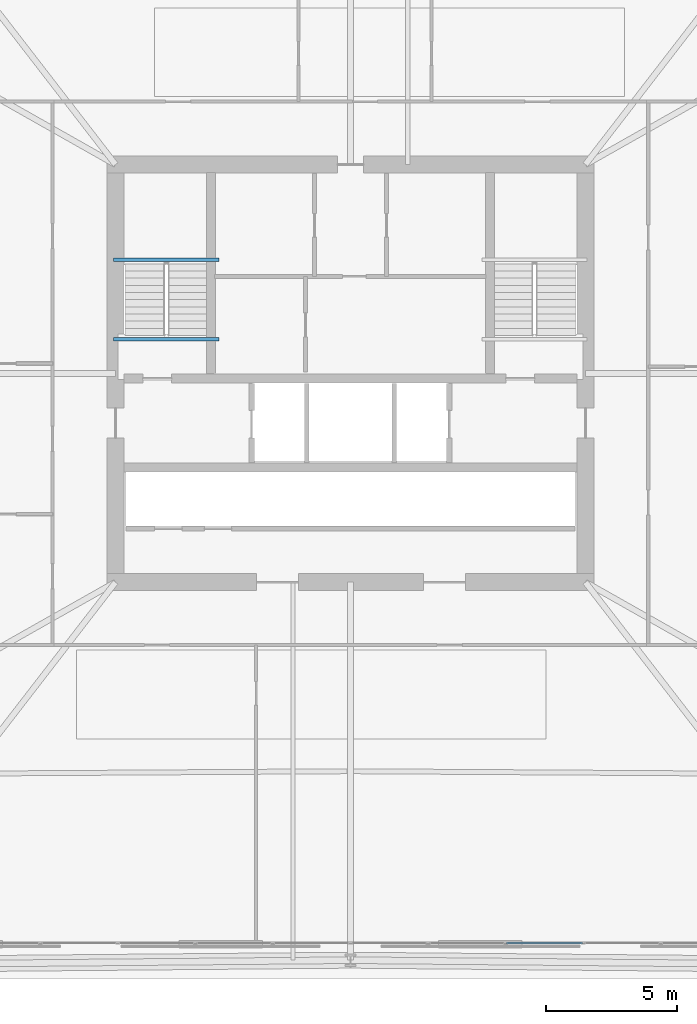
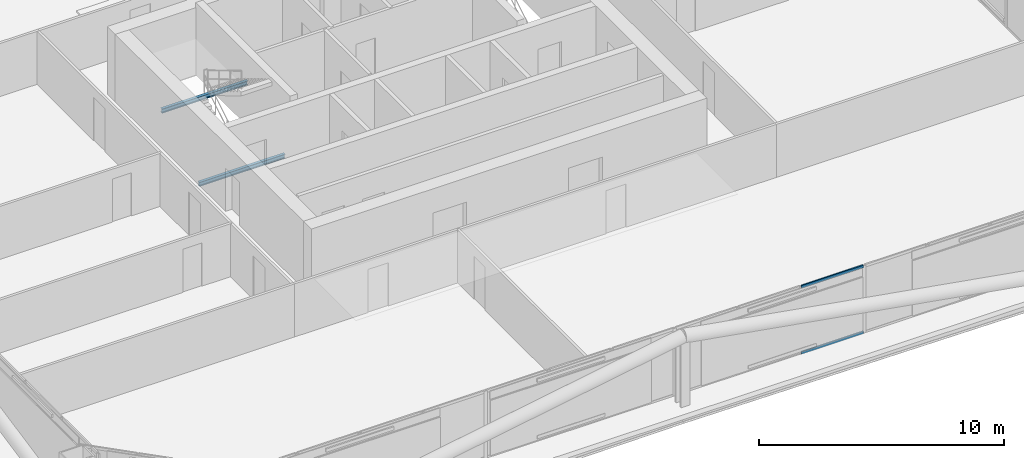
# One storey, part 18 of 50: 2 beams, 2 members, 1 element without a shape of its own.
"""IFC4 building model written with IfcOpenShell, lengths in metres."""

from ifc_helpers import new_model, si_unit, direction, frame, origin, origin_2d, place, context, subcontext, project, spatial, hollow_rectangle, i_section, extrude, material, layer, layer_set, material_profile, profile_set, type_object, element, aggregate, save


model = new_model("IFC4")

# Units and contexts
model_context = context("Model", 3, precision=1e-05, world=origin(), true_north=direction((0.0, 1.0)))
body_context = subcontext(model_context, "Body", "Model", "MODEL_VIEW")
ifc_project = project(units=[si_unit("LENGTHUNIT", "METRE"), si_unit("AREAUNIT", "SQUARE_METRE"), si_unit("VOLUMEUNIT", "CUBIC_METRE"), si_unit("PLANEANGLEUNIT", "RADIAN"), si_unit("MASSUNIT", "GRAM", prefix="KILO")], contexts=[model_context])

# Site, building, storey
site_placement = place(None, origin())
site = spatial("IfcSite", under=ifc_project, at=site_placement, CompositionType="ELEMENT")
building_placement = place(site_placement, origin())
building = spatial("IfcBuilding", under=site, at=building_placement, Name="Caelvoria Tower", CompositionType="ELEMENT")
storey_placement = place(building_placement, frame((0.0, 0.0, 71.199951171875)))
storey = spatial("IfcBuildingStorey", under=building, at=storey_placement, Name="L18", CompositionType="ELEMENT", Elevation=71.199951171875)

# Beams
ifc_material_1 = material(Name="Structural Steel ASTM A992 Gr.50", Category="steel")
ifc_material_profile_1 = material_profile(ifc_material_1, i_section(OverallWidth=0.134033203125, OverallDepth=0.2099609375, WebThickness=0.00634765625, FlangeThickness=0.01025390625, FilletRadius=0.010009765625, at=origin_2d()), Name="Structural Steel ASTM A992 Gr.50")
ifc_profile_set_1 = profile_set([ifc_material_profile_1], Name="W200X31.3 - Structural Steel ASTM A992 Gr.50")
beam_type = type_object("IfcBeamType", Name="Canopy Edge Trim Beam W200X31.3", PredefinedType="BEAM", material=ifc_profile_set_1)
for number, where, z_axis, x_axis, name in (
    (1, (36.929931640625, 36.35009765625, 1.4951171875), (1.0, 0.0, 0.0), (0.0, 1.0, 0.0), "ST-01 Half-Landing Support Beam L18"),
    (2, (36.929931640625, 33.300048828125, -0.304931640625), (1.0, 0.0, 0.0), (0.0, 1.0, 0.0), "ST-01 Floor-Landing Support Beam L18"),
):
    element("IfcBeam", number, at=place(storey_placement, frame(where, z_axis=z_axis, x_axis=x_axis)), inside=storey, type_object=beam_type, Name=name, PredefinedType="BEAM", context=body_context, shape_type="SweptSolid", body=[
        extrude(i_section(OverallWidth=0.134033203125, OverallDepth=0.2099609375, WebThickness=0.00634765625, FlangeThickness=0.01025390625, FilletRadius=0.010009765625, at=origin_2d()), origin(), (0.0, 0.0, 1.0), 4.0400390625),
    ])

# Curtain wall, members
ifc_material_2 = material(Name="Anodised Bronze Aluminium and Low-E Glass", Category="aluminium")
ifc_layer = layer(ifc_material_2, 0.18505859375, Name="Anodised Bronze Aluminium and Low-E Glass")
ifc_layer_set = layer_set([ifc_layer], Name="CW System 2 Lower Tower Bronze Unitised Facade - Anodised Bronze Aluminium and Low-E Glass")
curtain_wall_type = type_object("IfcCurtainWallType", Name="CW System 2 Lower Tower Bronze Unitised Facade", PredefinedType="NOTDEFINED", material=ifc_layer_set)
curtain_wall_placement = place(storey_placement, origin())
curtain_wall = element("IfcCurtainWall", 3, at=curtain_wall_placement, inside=storey, type_object=curtain_wall_type, Name="CW-02 Curtain Wall L18-E0", PredefinedType="NOTDEFINED")
ifc_material_3 = material(Name="Anodised Bronze Architectural Aluminium", Category="aluminium")
ifc_material_profile_2 = material_profile(ifc_material_3, hollow_rectangle(XDim=0.06494140625, YDim=0.1298828125, WallThickness=0.00341796875, at=origin_2d()), Name="Anodised Bronze Architectural Aluminium")
ifc_profile_set_2 = profile_set([ifc_material_profile_2], Name="CW_TRAN_65X130 - Anodised Bronze Architectural Aluminium")
member_type = type_object("IfcMemberType", Name="Curtain Wall Transom 65x130 Bronze Aluminium", PredefinedType="USERDEFINED", material=ifc_profile_set_2)
member_1_placement = place(storey_placement, frame((51.975341796875, 10.179931640625, 0.032470703125), z_axis=(1.0, 0.0, 0.0), x_axis=(0.0, 1.0, 0.0)))
member_1 = element("IfcMember", 4, at=member_1_placement, type_object=member_type, Name="CW-02 transom 10.1", ObjectType="TRANSOM", PredefinedType="USERDEFINED", context=body_context, shape_type="SweptSolid", body=[
    extrude(hollow_rectangle(XDim=0.06494140625, YDim=0.1298828125, WallThickness=0.00341796875, at=origin_2d()), origin(), (0.0, 0.0, 1.0), 2.906494140625),
])
member_2_placement = place(storey_placement, frame((51.975341796875, 10.179931640625, 3.32763671875), z_axis=(1.0, 0.0, 0.0), x_axis=(0.0, 1.0, 0.0)))
member_2 = element("IfcMember", 5, at=member_2_placement, type_object=member_type, Name="CW-02 transom 10.2", ObjectType="TRANSOM", PredefinedType="USERDEFINED", context=body_context, shape_type="SweptSolid", body=[
    extrude(hollow_rectangle(XDim=0.06494140625, YDim=0.1298828125, WallThickness=0.00341796875, at=origin_2d()), origin(), (0.0, 0.0, 1.0), 2.906494140625),
])
aggregate(curtain_wall, [member_1, member_2])

save(model, "model.ifc")
